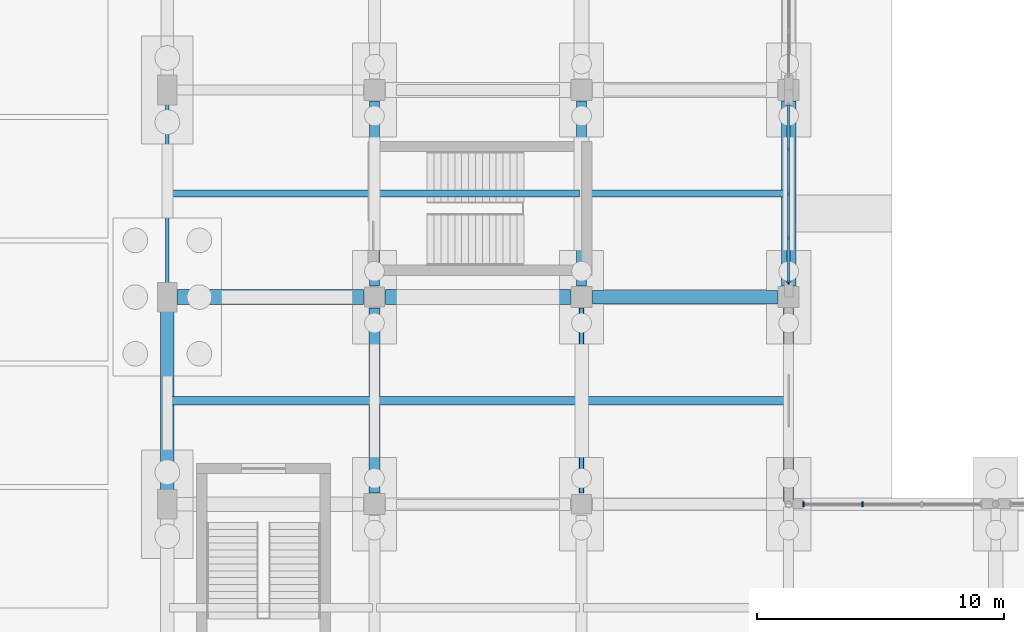
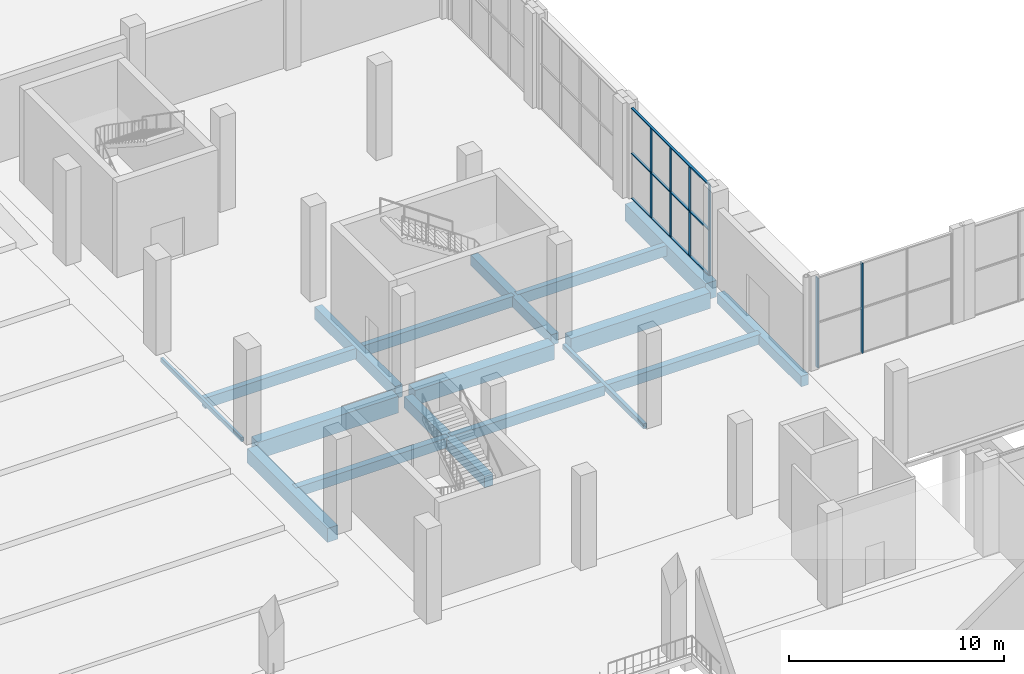
# One storey, part 25 of 82: 17 beams, 9 members, 2 elements without a shape of their own.
"""IFC4 building model written with IfcOpenShell, lengths in metres."""

from ifc_helpers import new_model, si_unit, derived_unit, direction, frame, origin, origin_2d, place, context, subcontext, project, spatial, rectangle, hollow_rectangle, extrude, material, material_profile, profile_set, type_object, element, aggregate, save


model = new_model("IFC4")

# Units and contexts
model_context = context("Model", 3, precision=1e-05, world=origin(), true_north=direction((0.0, 1.0)))
body_context = subcontext(model_context, "Body", "Model", "MODEL_VIEW")
ifc_project = project(units=[si_unit("LENGTHUNIT", "METRE"), si_unit("AREAUNIT", "SQUARE_METRE"), si_unit("VOLUMEUNIT", "CUBIC_METRE"), si_unit("PLANEANGLEUNIT", "RADIAN"), si_unit("MASSUNIT", "GRAM", prefix="KILO"), derived_unit("THERMALTRANSMITTANCEUNIT", [(si_unit("POWERUNIT", "WATT"), 1), (si_unit("LENGTHUNIT", "METRE"), -2), (si_unit("THERMODYNAMICTEMPERATUREUNIT", "KELVIN"), -1)])], contexts=[model_context])

# Site, building, storey
site_placement = place(None, origin())
site = spatial("IfcSite", under=ifc_project, at=site_placement, CompositionType="ELEMENT")
building_placement = place(site_placement, origin())
building = spatial("IfcBuilding", under=site, at=building_placement, Name="Barrovel Congress Hotel", CompositionType="ELEMENT")
storey_placement = place(building_placement, origin())
storey = spatial("IfcBuildingStorey", under=building, at=storey_placement, Name="L00", CompositionType="ELEMENT", Elevation=0.0)

# Beams
ifc_material_1 = material(Name="Concrete C40", Category="concrete")
ifc_material_profile_1 = material_profile(ifc_material_1, rectangle(XDim=0.300048828125, YDim=0.60009765625, at=origin_2d()), Name="RC300x600")
ifc_profile_set_1 = profile_set([ifc_material_profile_1], Name="Concrete C40")
beam_type_1 = type_object("IfcBeamType", Name="BM-RC300x600", PredefinedType="JOIST", material=ifc_profile_set_1)
for number, where, z_axis, x_axis, name in (
    (1, (33.679931640625, 58.800048828125, -0.6201171875), (1.0, 0.0, 0.0), (0.0, 1.0, 0.0), "JST:L00:33.6:58.8"),
    (2, (42.080078125, 58.800048828125, -0.6201171875), (1.0, 0.0, 0.0), (0.0, 1.0, 0.0), "JST:L00:42.0:58.8"),
    (3, (50.47998046875, 58.800048828125, -0.6201171875), (1.0, 0.0, 0.0), (0.0, 1.0, 0.0), "JST:L00:50.4:58.8"),
):
    element("IfcBeam", number, at=place(storey_placement, frame(where, z_axis=z_axis, x_axis=x_axis)), inside=storey, type_object=beam_type_1, Name=name, PredefinedType="JOIST", context=body_context, shape_type="SweptSolid", body=[
        extrude(rectangle(XDim=0.300048828125, YDim=0.60009765625, at=origin_2d()), origin(), (0.0, 0.0, 1.0), 8.239990234375),
    ])
ifc_material_profile_2 = material_profile(ifc_material_1, rectangle(XDim=0.35009765625, YDim=0.550048828125, at=origin_2d()), Name="RC350x550")
ifc_profile_set_2 = profile_set([ifc_material_profile_2], Name="Concrete C40")
beam_type_2 = type_object("IfcBeamType", Name="BM-RC350x550", PredefinedType="JOIST", material=ifc_profile_set_2)
for number, where, z_axis, x_axis, name in (
    (4, (33.679931640625, 50.39990234375, -0.594970703125), (1.0, 0.0, 0.0), (0.0, 1.0, 0.0), "JST:L00:33.6:50.4"),
    (5, (42.080078125, 50.39990234375, -0.594970703125), (1.0, 0.0, 0.0), (0.0, 1.0, 0.0), "JST:L00:42.0:50.4"),
    (6, (50.47998046875, 50.39990234375, -0.594970703125), (1.0, 0.0, 0.0), (0.0, 1.0, 0.0), "JST:L00:50.4:50.4"),
):
    element("IfcBeam", number, at=place(storey_placement, frame(where, z_axis=z_axis, x_axis=x_axis)), inside=storey, type_object=beam_type_2, Name=name, PredefinedType="JOIST", context=body_context, shape_type="SweptSolid", body=[
        extrude(rectangle(XDim=0.35009765625, YDim=0.550048828125, at=origin_2d()), origin(), (0.0, 0.0, 1.0), 8.239990234375),
    ])
ifc_material_profile_3 = material_profile(ifc_material_1, rectangle(XDim=0.39990234375, YDim=0.60009765625, at=origin_2d()), Name="RC400x600")
ifc_profile_set_3 = profile_set([ifc_material_profile_3], Name="Concrete C40")
beam_type_3 = type_object("IfcBeamType", Name="BM-RC400x600", PredefinedType="BEAM", material=ifc_profile_set_3)
beam_1_placement = place(storey_placement, frame((50.39990234375, 55.050048828125, -0.6201171875), z_axis=(0.0, 1.0, 0.0), x_axis=(-1.0, 0.0, 0.0)))
element("IfcBeam", 7, at=beam_1_placement, inside=storey, type_object=beam_type_3, Name="BMY:L00:50.4:54.6-63.0", PredefinedType="BEAM", context=body_context, shape_type="SweptSolid", body=[
    extrude(rectangle(XDim=0.39990234375, YDim=0.60009765625, at=origin_2d()), origin(), (0.0, 0.0, 1.0), 7.5),
])
beam_2_placement = place(storey_placement, frame((58.800048828125, 46.3095703125, -0.6201171875), z_axis=(0.0, 1.0, 0.0), x_axis=(-1.0, 0.0, 0.0)))
element("IfcBeam", 8, at=beam_2_placement, inside=storey, type_object=beam_type_3, Name="BMY:L00:58.8:46.2-54.6", PredefinedType="BEAM", context=body_context, shape_type="SweptSolid", body=[
    extrude(rectangle(XDim=0.39990234375, YDim=0.60009765625, at=origin_2d()), origin(), (0.0, 0.0, 1.0), 7.84033203125),
])
ifc_material_profile_4 = material_profile(ifc_material_1, rectangle(XDim=0.39990234375, YDim=0.699951171875, at=origin_2d()), Name="RC400x700")
ifc_profile_set_4 = profile_set([ifc_material_profile_4], Name="Concrete C40")
beam_type_4 = type_object("IfcBeamType", Name="BM-RC400x700", PredefinedType="BEAM", material=ifc_profile_set_4)
beam_3_placement = place(storey_placement, frame((42.0, 55.050048828125, -0.669921875), z_axis=(0.0, 1.0, 0.0), x_axis=(-1.0, 0.0, 0.0)))
element("IfcBeam", 9, at=beam_3_placement, inside=storey, type_object=beam_type_4, Name="BMY:L00:42.0:54.6-63.0", PredefinedType="BEAM", context=body_context, shape_type="SweptSolid", body=[
    extrude(rectangle(XDim=0.39990234375, YDim=0.699951171875, at=origin_2d()), origin(), (0.0, 0.0, 1.0), 7.5),
])
ifc_material_profile_5 = material_profile(ifc_material_1, rectangle(XDim=0.449951171875, YDim=0.64990234375, at=origin_2d()), Name="RC450x650")
ifc_profile_set_5 = profile_set([ifc_material_profile_5], Name="Concrete C40")
beam_type_5 = type_object("IfcBeamType", Name="BM-RC450x650", PredefinedType="BEAM", material=ifc_profile_set_5)
beam_4_placement = place(storey_placement, frame((42.0, 46.64990234375, -0.64501953125), z_axis=(0.0, 1.0, 0.0), x_axis=(-1.0, 0.0, 0.0)))
element("IfcBeam", 10, at=beam_4_placement, inside=storey, type_object=beam_type_5, Name="BMY:L00:42.0:46.2-54.6", PredefinedType="BEAM", context=body_context, shape_type="SweptSolid", body=[
    extrude(rectangle(XDim=0.449951171875, YDim=0.64990234375, at=origin_2d()), origin(), (0.0, 0.0, 1.0), 7.5),
])
ifc_material_profile_6 = material_profile(ifc_material_1, rectangle(XDim=0.550048828125, YDim=0.800048828125, at=origin_2d()), Name="RC550x800")
ifc_profile_set_6 = profile_set([ifc_material_profile_6], Name="Concrete C40")
beam_type_6 = type_object("IfcBeamType", Name="BM-RC550x800", PredefinedType="BEAM", material=ifc_profile_set_6)
beam_5_placement = place(storey_placement, frame((33.60009765625, 46.64990234375, -0.719970703125), z_axis=(0.0, 1.0, 0.0), x_axis=(-1.0, 0.0, 0.0)))
element("IfcBeam", 11, at=beam_5_placement, inside=storey, type_object=beam_type_6, Name="BMY:L00:33.6:46.2-54.6", PredefinedType="BEAM", context=body_context, shape_type="SweptSolid", body=[
    extrude(rectangle(XDim=0.550048828125, YDim=0.800048828125, at=origin_2d()), origin(), (0.0, 0.0, 1.0), 7.5),
])
ifc_material_profile_7 = material_profile(ifc_material_1, rectangle(XDim=0.550048828125, YDim=0.89990234375, at=origin_2d()), Name="RC550x900")
ifc_profile_set_7 = profile_set([ifc_material_profile_7], Name="Concrete C40")
beam_type_7 = type_object("IfcBeamType", Name="BM-RC550x900", PredefinedType="BEAM", material=ifc_profile_set_7)
beam_6_placement = place(storey_placement, frame((50.85009765625, 54.60009765625, -0.77001953125), z_axis=(1.0, 0.0, 0.0), x_axis=(0.0, 1.0, 0.0)))
element("IfcBeam", 12, at=beam_6_placement, inside=storey, type_object=beam_type_7, Name="BMX:L00:54.6:50.4-58.8", PredefinedType="BEAM", context=body_context, shape_type="SweptSolid", body=[
    extrude(rectangle(XDim=0.550048828125, YDim=0.89990234375, at=origin_2d()), origin(), (0.0, 0.0, 1.0), 7.5),
])
ifc_material_profile_8 = material_profile(ifc_material_1, rectangle(XDim=0.60009765625, YDim=0.85009765625, at=origin_2d()), Name="RC600x850")
ifc_profile_set_8 = profile_set([ifc_material_profile_8], Name="Concrete C40")
beam_type_8 = type_object("IfcBeamType", Name="BM-RC600x850", PredefinedType="BEAM", material=ifc_profile_set_8)
beam_7_placement = place(storey_placement, frame((42.449951171875, 54.60009765625, -0.7451171875), z_axis=(1.0, 0.0, 0.0), x_axis=(0.0, 1.0, 0.0)))
element("IfcBeam", 13, at=beam_7_placement, inside=storey, type_object=beam_type_8, Name="BMX:L00:54.6:42.0-50.4", PredefinedType="BEAM", context=body_context, shape_type="SweptSolid", body=[
    extrude(rectangle(XDim=0.60009765625, YDim=0.85009765625, at=origin_2d()), origin(), (0.0, 0.0, 1.0), 7.5),
])
ifc_material_profile_9 = material_profile(ifc_material_1, rectangle(XDim=0.60009765625, YDim=0.949951171875, at=origin_2d()), Name="RC600x950")
ifc_profile_set_9 = profile_set([ifc_material_profile_9], Name="Concrete C40")
beam_type_9 = type_object("IfcBeamType", Name="BM-RC600x950", PredefinedType="BEAM", material=ifc_profile_set_9)
beam_8_placement = place(storey_placement, frame((34.0, 54.60009765625, -0.794921875), z_axis=(1.0, 0.0, 0.0), x_axis=(0.0, 1.0, 0.0)))
element("IfcBeam", 14, at=beam_8_placement, inside=storey, type_object=beam_type_9, Name="BMX:L00:54.6:33.6-42.0", PredefinedType="BEAM", context=body_context, shape_type="SweptSolid", body=[
    extrude(rectangle(XDim=0.60009765625, YDim=0.949951171875, at=origin_2d()), origin(), (0.0, 0.0, 1.0), 7.550048828125),
])
beam_9_placement = place(storey_placement, frame((58.800048828125, 55.050048828125, -0.794921875), z_axis=(0.0, 1.0, 0.0), x_axis=(-1.0, 0.0, 0.0)))
element("IfcBeam", 15, at=beam_9_placement, inside=storey, type_object=beam_type_9, Name="BMY:L00:58.8:54.6-63.0", PredefinedType="BEAM", context=body_context, shape_type="SweptSolid", body=[
    extrude(rectangle(XDim=0.60009765625, YDim=0.949951171875, at=origin_2d()), origin(), (0.0, 0.0, 1.0), 7.5),
])

# Curtain wall, members
ifc_material_2 = material(Name="Anodised Aluminium Alloy 6063-T6", Category="aluminium")
curtain_wall_type_1 = type_object("IfcCurtainWallType", Name="CW-ST-7200x3600", PredefinedType="USERDEFINED", material=ifc_material_2)
curtain_wall_1_placement = place(storey_placement, origin())
curtain_wall_1 = element("IfcCurtainWall", 16, at=curtain_wall_1_placement, inside=storey, type_object=curtain_wall_type_1, Name="CW:L00:CW:54.6", ObjectType="STICK CURTAIN WALL", PredefinedType="USERDEFINED")
ifc_material_profile_10 = material_profile(ifc_material_2, rectangle(XDim=0.06005859375, YDim=0.1650390625, at=origin_2d()), Name="AL-M60x165")
ifc_profile_set_10 = profile_set([ifc_material_profile_10], Name="Anodised Aluminium Alloy 6063-T6")
member_type_1 = type_object("IfcMemberType", Name="CWM-AL-M60x165", PredefinedType="MULLION", material=ifc_profile_set_10)
member_1_placement = place(storey_placement, frame((58.800048828125, 55.199951171875, 0.0), z_axis=(0.0, 0.0, 1.0), x_axis=(1.0, 0.0, 0.0)))
member_1 = element("IfcMember", 17, at=member_1_placement, type_object=member_type_1, Name="CW:L00:CW:54.6:M0", PredefinedType="MULLION", context=body_context, shape_type="SweptSolid", body=[
    extrude(rectangle(XDim=0.06005859375, YDim=0.1650390625, at=origin_2d()), origin(), (0.0, 0.0, 1.0), 5.1201171875),
])
member_2_placement = place(storey_placement, frame((58.800048828125, 57.0, 0.0), z_axis=(0.0, 0.0, 1.0), x_axis=(1.0, 0.0, 0.0)))
member_2 = element("IfcMember", 18, at=member_2_placement, type_object=member_type_1, Name="CW:L00:CW:54.6:M1", PredefinedType="MULLION", context=body_context, shape_type="SweptSolid", body=[
    extrude(rectangle(XDim=0.06005859375, YDim=0.1650390625, at=origin_2d()), origin(), (0.0, 0.0, 1.0), 5.1201171875),
])
member_3_placement = place(storey_placement, frame((58.800048828125, 58.800048828125, 0.0), z_axis=(0.0, 0.0, 1.0), x_axis=(1.0, 0.0, 0.0)))
member_3 = element("IfcMember", 19, at=member_3_placement, type_object=member_type_1, Name="CW:L00:CW:54.6:M2", PredefinedType="MULLION", context=body_context, shape_type="SweptSolid", body=[
    extrude(rectangle(XDim=0.06005859375, YDim=0.1650390625, at=origin_2d()), origin(), (0.0, 0.0, 1.0), 5.1201171875),
])
member_4_placement = place(storey_placement, frame((58.800048828125, 60.60009765625, 0.0), z_axis=(0.0, 0.0, 1.0), x_axis=(1.0, 0.0, 0.0)))
member_4 = element("IfcMember", 20, at=member_4_placement, type_object=member_type_1, Name="CW:L00:CW:54.6:M3", PredefinedType="MULLION", context=body_context, shape_type="SweptSolid", body=[
    extrude(rectangle(XDim=0.06005859375, YDim=0.1650390625, at=origin_2d()), origin(), (0.0, 0.0, 1.0), 5.1201171875),
])

curtain_wall_type_2 = type_object("IfcCurtainWallType", Name="CW-ST-6400x4200", PredefinedType="USERDEFINED", material=ifc_material_2)
curtain_wall_2_placement = place(storey_placement, origin())
curtain_wall_2 = element("IfcCurtainWall", 21, at=curtain_wall_2_placement, inside=storey, type_object=curtain_wall_type_2, Name="CW:L00:CL:07", ObjectType="STICK CURTAIN WALL", PredefinedType="USERDEFINED")
ifc_material_profile_11 = material_profile(ifc_material_2, rectangle(XDim=0.06494140625, YDim=0.18994140625, at=origin_2d()), Name="AL-M65x190")
ifc_profile_set_11 = profile_set([ifc_material_profile_11], Name="Anodised Aluminium Alloy 6063-T6")
member_type_2 = type_object("IfcMemberType", Name="CWM-AL-M65x190", PredefinedType="MULLION", material=ifc_profile_set_11)
member_5_placement = place(storey_placement, frame((61.800048828125, 46.199951171875, 0.0), z_axis=(0.0, 0.0, 1.0), x_axis=(1.0, 0.0, 0.0)))
member_5 = element("IfcMember", 22, at=member_5_placement, type_object=member_type_2, Name="CW:L00:CL:07:M2", PredefinedType="MULLION", context=body_context, shape_type="SweptSolid", body=[
    extrude(rectangle(XDim=0.06494140625, YDim=0.18994140625, at=origin_2d()), origin(), (0.0, 0.0, 1.0), 5.1201171875),
])
member_6_placement = place(storey_placement, frame((59.39990234375, 46.199951171875, 0.0), z_axis=(0.0, 0.0, 1.0), x_axis=(1.0, 0.0, 0.0)))
member_6 = element("IfcMember", 23, at=member_6_placement, type_object=member_type_2, Name="CW:L00:CL:07:M3", PredefinedType="MULLION", context=body_context, shape_type="SweptSolid", body=[
    extrude(rectangle(XDim=0.06494140625, YDim=0.18994140625, at=origin_2d()), origin(), (0.0, 0.0, 1.0), 5.1201171875),
])
aggregate(curtain_wall_2, [member_5, member_6])

# Member
ifc_material_profile_12 = material_profile(ifc_material_2, rectangle(XDim=0.125, YDim=0.06005859375, at=origin_2d()), Name="AL-T60x125")
ifc_profile_set_12 = profile_set([ifc_material_profile_12], Name="Anodised Aluminium Alloy 6063-T6")
member_type_3 = type_object("IfcMemberType", Name="CWT-AL-T60x125", PredefinedType="USERDEFINED", material=ifc_profile_set_12)
member_7_placement = place(storey_placement, frame((58.800048828125, 55.199951171875, 0.0), z_axis=(0.0, 1.0, 0.0), x_axis=(-1.0, 0.0, 0.0)))
member_7 = element("IfcMember", 24, at=member_7_placement, type_object=member_type_3, Name="CW:L00:CW:54.6:T0", ObjectType="TRANSOM", PredefinedType="USERDEFINED", context=body_context, shape_type="SweptSolid", body=[
    extrude(rectangle(XDim=0.125, YDim=0.06005859375, at=origin_2d()), origin(), (0.0, 0.0, 1.0), 7.199951171875),
])

member_8_placement = place(storey_placement, frame((58.800048828125, 55.199951171875, 2.56005859375), z_axis=(0.0, 1.0, 0.0), x_axis=(-1.0, 0.0, 0.0)))
member_8 = element("IfcMember", 25, at=member_8_placement, type_object=member_type_3, Name="CW:L00:CW:54.6:T1", ObjectType="TRANSOM", PredefinedType="USERDEFINED", context=body_context, shape_type="SweptSolid", body=[
    extrude(rectangle(XDim=0.125, YDim=0.06005859375, at=origin_2d()), origin(), (0.0, 0.0, 1.0), 7.199951171875),
])

member_9_placement = place(storey_placement, frame((58.800048828125, 55.199951171875, 5.1201171875), z_axis=(0.0, 1.0, 0.0), x_axis=(-1.0, 0.0, 0.0)))
member_9 = element("IfcMember", 26, at=member_9_placement, type_object=member_type_3, Name="CW:L00:CW:54.6:T2", ObjectType="TRANSOM", PredefinedType="USERDEFINED", context=body_context, shape_type="SweptSolid", body=[
    extrude(rectangle(XDim=0.125, YDim=0.06005859375, at=origin_2d()), origin(), (0.0, 0.0, 1.0), 7.199951171875),
])

aggregate(curtain_wall_1, [member_1, member_2, member_3, member_4, member_7, member_8, member_9])

# Beams
ifc_material_3 = material(Name="Steel ASTM A500 Grade C", Category="steel")
ifc_material_profile_13 = material_profile(ifc_material_3, hollow_rectangle(XDim=0.15234375, YDim=0.25390625, WallThickness=0.0087890625, InnerFilletRadius=0.0087890625, OuterFilletRadius=0.017578125, at=origin_2d()), Name="HSS254x152x9.5")
ifc_profile_set_13 = profile_set([ifc_material_profile_13], Name="Steel ASTM A500 Grade C")
beam_type_10 = type_object("IfcBeamType", Name="SBM-HSS254x152x9.5", PredefinedType="SPANDREL", material=ifc_profile_set_13)
beam_10_placement = place(storey_placement, frame((33.60009765625, 55.050048828125, -0.447021484375), z_axis=(0.0, 1.0, 0.0), x_axis=(-1.0, 0.0, 0.0)))
element("IfcBeam", 27, at=beam_10_placement, inside=storey, type_object=beam_type_10, Name="BMY:L00:33.6:54.6-63.0", PredefinedType="SPANDREL", context=body_context, shape_type="SweptSolid", body=[
    extrude(hollow_rectangle(XDim=0.15234375, YDim=0.25390625, WallThickness=0.0087890625, InnerFilletRadius=0.0087890625, OuterFilletRadius=0.017578125, at=origin_2d()), origin(), (0.0, 0.0, 1.0), 7.5),
])
ifc_material_profile_14 = material_profile(ifc_material_3, hollow_rectangle(XDim=0.203125, YDim=0.3046875, WallThickness=0.01171875, InnerFilletRadius=0.01171875, OuterFilletRadius=0.023681640625, at=origin_2d()), Name="HSS305x203x12.7")
ifc_profile_set_14 = profile_set([ifc_material_profile_14], Name="Steel ASTM A500 Grade C")
beam_type_11 = type_object("IfcBeamType", Name="SBM-HSS305x203x12.7", PredefinedType="SPANDREL", material=ifc_profile_set_14)
beam_11_placement = place(storey_placement, frame((50.39990234375, 46.64990234375, -0.472412109375), z_axis=(0.0, 1.0, 0.0), x_axis=(-1.0, 0.0, 0.0)))
element("IfcBeam", 28, at=beam_11_placement, inside=storey, type_object=beam_type_11, Name="BMY:L00:50.4:46.2-54.6", PredefinedType="SPANDREL", context=body_context, shape_type="SweptSolid", body=[
    extrude(hollow_rectangle(XDim=0.203125, YDim=0.3046875, WallThickness=0.01171875, InnerFilletRadius=0.01171875, OuterFilletRadius=0.023681640625, at=origin_2d()), origin(), (0.0, 0.0, 1.0), 7.5),
])

save(model, "model.ifc")
